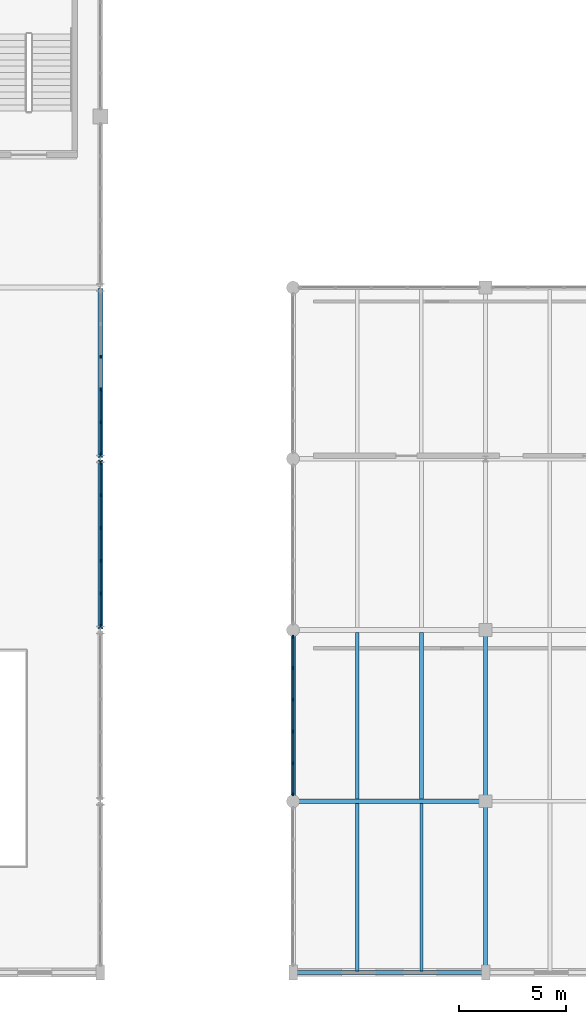
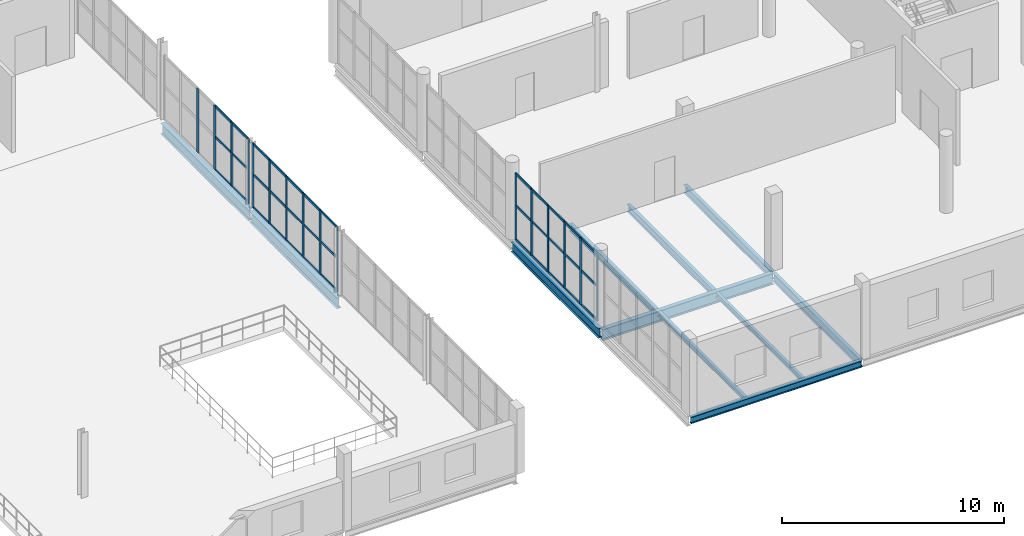
# One storey, part 25 of 73: 52 members, 11 beams, 3 elements without a shape of their own.
"""IFC4 building model written with IfcOpenShell, lengths in metres."""

import ifcopenshell
import ifcopenshell.guid

model = None  # the IFC model being written
_history = None  # IfcOwnerHistory: only IFC2X3 demands one
_inside = {}  # id of a spatial element -> (the spatial element, [elements in it])
_under = {}  # id of a project, library or spatial element -> (it, [spatial elements below it])
_declared = {}  # id of a project -> (the project, [libraries it declares])
_typed = {}  # id of a type object -> (the type object, [elements of that type])
_made_of = {}  # id of a material, layer set ... -> (it, [elements and type objects made of it])


def new_model(schema):
    """Start an empty IFC model of exactly this schema.

    Asked for "IFC4X3", IfcOpenShell would pick the latest addendum, in which some entities
    have other attributes; the version numbers below select the first issue.
    IFC2X3 requires an IfcOwnerHistory on every rooted entity: one is made here for all.
    """
    global model, _history
    if schema == "IFC4X3":
        model = ifcopenshell.file(schema_version=(4, 3, 0, 0))
    else:
        model = ifcopenshell.file(schema=schema)
    _inside.clear()
    _under.clear()
    _declared.clear()
    _typed.clear()
    _made_of.clear()
    _history = None
    if model.schema == "IFC2X3":
        org = make("IfcOrganization", Name="unknown")
        user = make(
            "IfcPersonAndOrganization",
            ThePerson=make("IfcPerson", FamilyName="unknown"),
            TheOrganization=org,
        )
        app = make(
            "IfcApplication",
            ApplicationDeveloper=org,
            Version="unknown",
            ApplicationFullName="unknown",
            ApplicationIdentifier="unknown",
        )
        _history = make(
            "IfcOwnerHistory",
            OwningUser=user,
            OwningApplication=app,
            ChangeAction="ADDED",
            CreationDate=0,
        )
    return model


def make(cls, **values):
    """One entity of the class cls with the attributes given. An attribute that is None is left unset."""
    return model.create_entity(
        cls, **{name: value for name, value in values.items() if value is not None}
    )


def rooted(cls, **values):
    """An entity with a GlobalId (a new one), such as an element, a storey or a relation."""
    return make(cls, GlobalId=ifcopenshell.guid.new(), OwnerHistory=_history, **values)


def si_unit(unit_type, name, prefix=None):
    """IfcSIUnit, for example si_unit("LENGTHUNIT", "METRE", prefix="MILLI")."""
    return make("IfcSIUnit", UnitType=unit_type, Prefix=prefix, Name=name)


def assignment(units):
    """IfcUnitAssignment: the units of a project."""
    return None if units is None else make("IfcUnitAssignment", Units=units)


def point(xyz):
    """IfcCartesianPoint."""
    return None if xyz is None else make("IfcCartesianPoint", Coordinates=xyz)


def direction(xyz):
    """IfcDirection."""
    return None if xyz is None else make("IfcDirection", DirectionRatios=xyz)


def frame(location, z_axis=None, x_axis=None):
    """IfcAxis2Placement3D, a coordinate frame: its origin and axes. An axis left out is left unset."""
    return make(
        "IfcAxis2Placement3D",
        Location=point(location),
        Axis=direction(z_axis),
        RefDirection=direction(x_axis),
    )


def frame_2d(location, x_axis=None):
    """IfcAxis2Placement2D, a coordinate frame in the plane: its origin and x axis."""
    return make(
        "IfcAxis2Placement2D", Location=point(location), RefDirection=direction(x_axis)
    )


def origin():
    """The frame at (0, 0, 0) with its axes left unset."""
    return frame((0.0, 0.0, 0.0))


def origin_2d():
    """The frame at (0, 0) in the plane with its x axis left unset."""
    return frame_2d((0.0, 0.0))


def place(relative_to, where):
    """IfcLocalPlacement: puts the frame where relative to a parent placement (None: the world)."""
    return make(
        "IfcLocalPlacement", PlacementRelTo=relative_to, RelativePlacement=where
    )


def context(
    kind, dimensions, precision=None, world=None, true_north=None, identifier=None
):
    """IfcGeometricRepresentationContext, for example the 3D "Model" context."""
    return make(
        "IfcGeometricRepresentationContext",
        ContextIdentifier=identifier,
        ContextType=kind,
        CoordinateSpaceDimension=dimensions,
        Precision=precision,
        WorldCoordinateSystem=world,
        TrueNorth=true_north,
    )


def subcontext(parent, identifier, kind, view, scale=None):
    """IfcGeometricRepresentationSubContext, for example "Body" below "Model"."""
    return make(
        "IfcGeometricRepresentationSubContext",
        ContextIdentifier=identifier,
        ContextType=kind,
        ParentContext=parent,
        TargetScale=scale,
        TargetView=view,
    )


def project(units=None, contexts=None):
    """IfcProject with its units and contexts."""
    return rooted(
        "IfcProject",
        Name="project",
        RepresentationContexts=contexts,
        UnitsInContext=assignment(units),
    )


def spatial(cls, under=None, at=None, **own):
    """A site, building, storey or space (cls), placed at a placement, below another one or the project."""
    s = rooted(cls, ObjectPlacement=at, **own)
    if under is not None:
        _under.setdefault(under.id(), (under, []))[1].append(s)
    return s


def profile(cls, at=None, kind="AREA", **sizes):
    """A parametric profile (cls). Its sizes go by their IFC names, for example OverallWidth=200.0."""
    return make(cls, ProfileType=kind, Position=at, **sizes)


def rectangle(**sizes):
    """IfcRectangleProfileDef."""
    return profile("IfcRectangleProfileDef", **sizes)


def i_section(**sizes):
    """IfcIShapeProfileDef."""
    return profile("IfcIShapeProfileDef", **sizes)


def extrude(swept, where, along, depth):
    """IfcExtrudedAreaSolid: the profile swept, set in the frame where, extruded along a direction by depth."""
    return make(
        "IfcExtrudedAreaSolid",
        SweptArea=swept,
        Position=where,
        ExtrudedDirection=direction(along),
        Depth=depth,
    )


def shape(context_of_items, identifier, shape_type, items):
    """IfcShapeRepresentation: the items that make up one representation, for example the "Body"."""
    return make(
        "IfcShapeRepresentation",
        ContextOfItems=context_of_items,
        RepresentationIdentifier=identifier,
        RepresentationType=shape_type,
        Items=items,
    )


def material(Name=None, Category=None):
    """IfcMaterial."""
    return make("IfcMaterial", Name=Name, Category=Category)


def layer(
    of_material, thickness, ventilated=None, Name=None, Category=None, Priority=None
):
    """IfcMaterialLayer: one layer of a wall or slab, of a material (None: an air gap)."""
    return make(
        "IfcMaterialLayer",
        Material=of_material,
        LayerThickness=thickness,
        IsVentilated=ventilated,
        Name=Name,
        Category=Category,
        Priority=Priority,
    )


def layer_set(layers, Name=None):
    """IfcMaterialLayerSet."""
    return make("IfcMaterialLayerSet", MaterialLayers=layers, LayerSetName=Name)


def material_profile(
    of_material, cross_section, Name=None, Category=None, Priority=None
):
    """IfcMaterialProfile: a cross section and its material."""
    return make(
        "IfcMaterialProfile",
        Name=Name,
        Material=of_material,
        Profile=cross_section,
        Priority=Priority,
        Category=Category,
    )


def profile_set(profiles, Name=None, composite=None):
    """IfcMaterialProfileSet."""
    return make(
        "IfcMaterialProfileSet",
        Name=Name,
        MaterialProfiles=profiles,
        CompositeProfile=composite,
    )


def made_of(thing, what):
    """Note that an element or type object is made of a material, layer set ...; save() writes the relation."""
    if what is not None:
        _made_of.setdefault(what.id(), (what, []))[1].append(thing)
    return thing


def type_object(cls, material=None, **own):
    """A type object (cls), such as IfcWallType, which elements share."""
    return made_of(rooted(cls, **own), material)


def element(
    cls,
    number,
    at=None,
    inside=None,
    cuts=None,
    type_object=None,
    material=None,
    context=None,
    identifier="Body",
    shape_type=None,
    held_by="IfcProductDefinitionShape",
    body=None,
    shapes=None,
    **own,
):
    """One element of the class cls, such as IfcWall. Its Tag is "e" and its number.

    at: its placement. inside: the storey or other place that contains it. cuts: it is an
    opening in that element (IfcRelVoidsElement). A single representation is given by context,
    identifier, shape_type and body (its items); several are given by shapes. held_by: the class
    of the entity that holds the representations. save() writes the other relations.
    """
    e = rooted(cls, Tag="e%d" % number, ObjectPlacement=at, **own)
    if body is not None:
        shapes = [shape(context, identifier, shape_type, body)]
    if shapes is not None:
        e.Representation = make(held_by, Representations=shapes)
    if inside is not None:
        _inside.setdefault(inside.id(), (inside, []))[1].append(e)
    if cuts is not None:
        rooted(
            "IfcRelVoidsElement", RelatingBuildingElement=cuts, RelatedOpeningElement=e
        )
    if type_object is not None:
        _typed.setdefault(type_object.id(), (type_object, []))[1].append(e)
    return made_of(e, material)


def aggregate(whole, parts):
    """IfcRelAggregates: a whole, such as a stair, and the parts it consists of."""
    return rooted("IfcRelAggregates", RelatingObject=whole, RelatedObjects=parts)


def save(model, path):
    """Write the relations noted so far, then the file.

    IfcRelAggregates (storeys below a building ...), IfcRelContainedInSpatialStructure (elements
    in a storey), IfcRelDefinesByType, IfcRelAssociatesMaterial and IfcRelDeclares: one each for
    every whole, place, type object, material and project.
    """
    for whole, parts in _under.values():
        aggregate(whole, parts)
    for where, things in _inside.values():
        rooted(
            "IfcRelContainedInSpatialStructure",
            RelatedElements=things,
            RelatingStructure=where,
        )
    for kind, things in _typed.values():
        rooted("IfcRelDefinesByType", RelatedObjects=things, RelatingType=kind)
    for what, things in _made_of.values():
        rooted("IfcRelAssociatesMaterial", RelatedObjects=things, RelatingMaterial=what)
    for by, libraries in _declared.values():
        rooted("IfcRelDeclares", RelatingContext=by, RelatedDefinitions=libraries)
    model.write(path)


model = new_model("IFC4")

# Units and contexts
model_context = context("Model", 3, precision=1e-05, world=origin(), true_north=direction((0.0, 1.0)))
body_context = subcontext(model_context, "Body", "Model", "MODEL_VIEW")
ifc_project = project(units=[si_unit("LENGTHUNIT", "METRE"), si_unit("AREAUNIT", "SQUARE_METRE"), si_unit("VOLUMEUNIT", "CUBIC_METRE"), si_unit("PLANEANGLEUNIT", "RADIAN"), si_unit("MASSUNIT", "GRAM", prefix="KILO")], contexts=[model_context])

# Site, building, storey
site_placement = place(None, origin())
site = spatial("IfcSite", under=ifc_project, at=site_placement, CompositionType="ELEMENT")
building_placement = place(site_placement, origin())
building = spatial("IfcBuilding", under=site, at=building_placement, Name="Marnock Terrace Opera House", CompositionType="ELEMENT")
storey_placement = place(building_placement, frame((0.0, 0.0, 14.699951171875)))
storey = spatial("IfcBuildingStorey", under=building, at=storey_placement, Name="L03", CompositionType="ELEMENT", Elevation=14.699951171875)

# Beams
ifc_material_1 = material(Name="Steel Grade 350 (AS/NZS 3679.1)", Category="steel")
ifc_material_profile_1 = material_profile(ifc_material_1, i_section(OverallWidth=0.18994140625, OverallDepth=0.45751953125, WebThickness=0.009033203125, FlangeThickness=0.014404296875, FilletRadius=0.011474609375, at=origin_2d()))
ifc_profile_set_1 = profile_set([ifc_material_profile_1], Name="Steel Grade 350 (AS/NZS 3679.1)")
beam_type_1 = type_object("IfcBeamType", Name="BM-GIRD-460B", PredefinedType="BEAM", material=ifc_profile_set_1)
for number, where, z_axis, x_axis, name in (
    (1, (127.0, 8.050048828125, -0.48876953125), (0.0, 1.0, 0.0), (-1.0, 0.0, 0.0), "L03 girder (X=127.0, 8.0..16.0)"),
    (2, (127.0, 16.050048828125, -0.48876953125), (0.0, 1.0, 0.0), (-1.0, 0.0, 0.0), "L03 girder (X=127.0, 16.0..24.0)"),
):
    element("IfcBeam", number, at=place(storey_placement, frame(where, z_axis=z_axis, x_axis=x_axis)), inside=storey, type_object=beam_type_1, Name=name, PredefinedType="BEAM", context=body_context, shape_type="SweptSolid", body=[
        extrude(i_section(OverallWidth=0.18994140625, OverallDepth=0.45751953125, WebThickness=0.009033203125, FlangeThickness=0.014404296875, FilletRadius=0.011474609375, at=origin_2d()), origin(), (0.0, 0.0, 1.0), 7.89990234375),
    ])
ifc_material_profile_2 = material_profile(ifc_material_1, i_section(OverallWidth=0.208984375, OverallDepth=0.528076171875, WebThickness=0.009521484375, FlangeThickness=0.01318359375, FilletRadius=0.013916015625, at=origin_2d()))
ifc_profile_set_2 = profile_set([ifc_material_profile_2], Name="Steel Grade 350 (AS/NZS 3679.1)")
beam_type_2 = type_object("IfcBeamType", Name="BM-GIRD-530B", PredefinedType="BEAM", material=ifc_profile_set_2)
beam_1_placement = place(storey_placement, frame((118.0, 16.050048828125, -0.52392578125), z_axis=(0.0, 1.0, 0.0), x_axis=(-1.0, 0.0, 0.0)))
element("IfcBeam", 3, at=beam_1_placement, inside=storey, type_object=beam_type_2, Name="L03 girder (X=118.0, 16.0..24.0)", PredefinedType="BEAM", context=body_context, shape_type="SweptSolid", body=[
    extrude(i_section(OverallWidth=0.208984375, OverallDepth=0.528076171875, WebThickness=0.009521484375, FlangeThickness=0.01318359375, FilletRadius=0.013916015625, at=origin_2d()), origin(), (0.0, 0.0, 1.0), 7.89990234375),
])
ifc_material_profile_3 = material_profile(ifc_material_1, i_section(OverallWidth=0.22900390625, OverallDepth=0.611572265625, WebThickness=0.011962890625, FlangeThickness=0.01953125, FilletRadius=0.013916015625, at=origin_2d()))
ifc_profile_set_3 = profile_set([ifc_material_profile_3], Name="Steel Grade 350 (AS/NZS 3679.1)")
beam_type_3 = type_object("IfcBeamType", Name="BM-GIRD-610A", PredefinedType="BEAM", material=ifc_profile_set_3)
beam_2_placement = place(storey_placement, frame((118.050048828125, 16.0, -0.565673828125), z_axis=(1.0, 0.0, 0.0), x_axis=(0.0, 1.0, 0.0)))
element("IfcBeam", 4, at=beam_2_placement, inside=storey, type_object=beam_type_3, Name="L03 girder (118.0..127.0, Y=16.0)", PredefinedType="BEAM", context=body_context, shape_type="SweptSolid", body=[
    extrude(i_section(OverallWidth=0.22900390625, OverallDepth=0.611572265625, WebThickness=0.011962890625, FlangeThickness=0.01953125, FilletRadius=0.013916015625, at=origin_2d()), origin(), (0.0, 0.0, 1.0), 8.89990234375),
])
ifc_material_profile_4 = material_profile(ifc_material_1, i_section(OverallWidth=0.22802734375, OverallDepth=0.60205078125, WebThickness=0.010498046875, FlangeThickness=0.014892578125, FilletRadius=0.013916015625, at=origin_2d()))
ifc_profile_set_4 = profile_set([ifc_material_profile_4], Name="Steel Grade 350 (AS/NZS 3679.1)")
beam_type_4 = type_object("IfcBeamType", Name="BM-GIRD-610C", PredefinedType="BEAM", material=ifc_profile_set_4)
for number, where, z_axis, x_axis, name in (
    (5, (109.0, 24.050048828125, -0.56103515625), (0.0, 1.0, 0.0), (-1.0, 0.0, 0.0), "L03 girder (X=109.0, 24.0..32.0)"),
    (6, (109.0, 32.050048828125, -0.56103515625), (0.0, 1.0, 0.0), (-1.0, 0.0, 0.0), "L03 girder (X=109.0, 32.0..40.0)"),
):
    element("IfcBeam", number, at=place(storey_placement, frame(where, z_axis=z_axis, x_axis=x_axis)), inside=storey, type_object=beam_type_4, Name=name, PredefinedType="BEAM", context=body_context, shape_type="SweptSolid", body=[
        extrude(i_section(OverallWidth=0.22802734375, OverallDepth=0.60205078125, WebThickness=0.010498046875, FlangeThickness=0.014892578125, FilletRadius=0.013916015625, at=origin_2d()), origin(), (0.0, 0.0, 1.0), 7.89990234375),
    ])
ifc_material_profile_5 = material_profile(ifc_material_1, i_section(OverallWidth=0.14599609375, OverallDepth=0.256103515625, WebThickness=0.00634765625, FlangeThickness=0.010986328125, FilletRadius=0.0087890625, at=origin_2d()))
ifc_profile_set_5 = profile_set([ifc_material_profile_5], Name="Steel Grade 350 (AS/NZS 3679.1)")
beam_type_5 = type_object("IfcBeamType", Name="BM-JOIST-250", PredefinedType="JOIST", material=ifc_profile_set_5)
for number, where, z_axis, x_axis, name in (
    (7, (121.0, 8.0810546875, -0.387939453125), (0.0, 1.0, 0.0), (-1.0, 0.0, 0.0), "L03 secondary joist 13.1.1"),
    (8, (124.0, 8.0810546875, -0.387939453125), (0.0, 1.0, 0.0), (-1.0, 0.0, 0.0), "L03 secondary joist 13.1.2"),
):
    element("IfcBeam", number, at=place(storey_placement, frame(where, z_axis=z_axis, x_axis=x_axis)), inside=storey, type_object=beam_type_5, Name=name, PredefinedType="JOIST", context=body_context, shape_type="SweptSolid", body=[
        extrude(i_section(OverallWidth=0.14599609375, OverallDepth=0.256103515625, WebThickness=0.00634765625, FlangeThickness=0.010986328125, FilletRadius=0.0087890625, at=origin_2d()), origin(), (0.0, 0.0, 1.0), 7.809326171875),
    ])
ifc_material_profile_6 = material_profile(ifc_material_1, i_section(OverallWidth=0.177978515625, OverallDepth=0.406494140625, WebThickness=0.0078125, FlangeThickness=0.0126953125, FilletRadius=0.011474609375, at=origin_2d()))
ifc_profile_set_6 = profile_set([ifc_material_profile_6], Name="Steel Grade 350 (AS/NZS 3679.1)")
beam_type_6 = type_object("IfcBeamType", Name="BM-JOIST-410", PredefinedType="JOIST", material=ifc_profile_set_6)
for number, where, z_axis, x_axis, name in (
    (9, (121.0, 16.109619140625, -0.463134765625), (0.0, 1.0, 0.0), (-1.0, 0.0, 0.0), "L03 secondary joist 13.2.1"),
    (10, (124.0, 16.109619140625, -0.463134765625), (0.0, 1.0, 0.0), (-1.0, 0.0, 0.0), "L03 secondary joist 13.2.2"),
):
    element("IfcBeam", number, at=place(storey_placement, frame(where, z_axis=z_axis, x_axis=x_axis)), inside=storey, type_object=beam_type_6, Name=name, PredefinedType="JOIST", context=body_context, shape_type="SweptSolid", body=[
        extrude(i_section(OverallWidth=0.177978515625, OverallDepth=0.406494140625, WebThickness=0.0078125, FlangeThickness=0.0126953125, FilletRadius=0.011474609375, at=origin_2d()), origin(), (0.0, 0.0, 1.0), 7.781494140625),
    ])
ifc_material_profile_7 = material_profile(ifc_material_1, i_section(OverallWidth=0.172119140625, OverallDepth=0.358642578125, WebThickness=0.008056640625, FlangeThickness=0.012939453125, FilletRadius=0.011474609375, at=origin_2d()))
ifc_profile_set_7 = profile_set([ifc_material_profile_7], Name="Steel Grade 350 (AS/NZS 3679.1)")
beam_type_7 = type_object("IfcBeamType", Name="BM-SPAN-360", PredefinedType="SPANDREL", material=ifc_profile_set_7)
beam_3_placement = place(storey_placement, frame((118.050048828125, 8.0, -0.439208984375), z_axis=(1.0, 0.0, 0.0), x_axis=(0.0, 1.0, 0.0)))
element("IfcBeam", 11, at=beam_3_placement, inside=storey, type_object=beam_type_7, Name="L03 girder (118.0..127.0, Y=8.0)", PredefinedType="SPANDREL", context=body_context, shape_type="SweptSolid", body=[
    extrude(i_section(OverallWidth=0.172119140625, OverallDepth=0.358642578125, WebThickness=0.008056640625, FlangeThickness=0.012939453125, FilletRadius=0.011474609375, at=origin_2d()), origin(), (0.0, 0.0, 1.0), 8.89990234375),
])

# Curtain wall, members
ifc_material_2 = material(Name="Anodised architectural bronze aluminium framing", Category="aluminium")
ifc_layer_1 = layer(ifc_material_2, 0.159912109375)
ifc_layer_set_1 = layer_set([ifc_layer_1], Name="Anodised architectural bronze aluminium framing")
curtain_wall_type_1 = type_object("IfcCurtainWallType", Name="CW-FOYER-80x42", PredefinedType="NOTDEFINED", material=ifc_layer_set_1)
curtain_wall_1_placement = place(storey_placement, origin())
curtain_wall_1 = element("IfcCurtainWall", 12, at=curtain_wall_1_placement, inside=storey, type_object=curtain_wall_type_1, Name="L03 glazed Beaux-Arts colonnade curtain wall CW-V1E-L03-03", PredefinedType="NOTDEFINED")
ifc_material_profile_8 = material_profile(ifc_material_2, rectangle(XDim=0.06005859375, YDim=0.14990234375, at=origin_2d()))
ifc_profile_set_8 = profile_set([ifc_material_profile_8], Name="Anodised architectural bronze aluminium framing")
member_type_1 = type_object("IfcMemberType", Name="CWM-60x150", PredefinedType="MULLION", material=ifc_profile_set_8)
member_1_placement = place(storey_placement, frame((109.0, 24.200927734375, 0.0), z_axis=(0.0, 0.0, 1.0), x_axis=(-1.0, 0.0, 0.0)))
member_1 = element("IfcMember", 13, at=member_1_placement, type_object=member_type_1, Name="CW-62 mullion 1", PredefinedType="MULLION", context=body_context, shape_type="SweptSolid", body=[
    extrude(rectangle(XDim=0.06005859375, YDim=0.14990234375, at=origin_2d()), origin(), (0.0, 0.0, 1.0), 3.546142578125),
])
member_2_placement = place(storey_placement, frame((109.0, 25.70263671875, 0.0), z_axis=(0.0, 0.0, 1.0), x_axis=(-1.0, 0.0, 0.0)))
member_2 = element("IfcMember", 14, at=member_2_placement, type_object=member_type_1, Name="CW-62 mullion 2", PredefinedType="MULLION", context=body_context, shape_type="SweptSolid", body=[
    extrude(rectangle(XDim=0.06005859375, YDim=0.14990234375, at=origin_2d()), origin(), (0.0, 0.0, 1.0), 3.546142578125),
])
member_3_placement = place(storey_placement, frame((109.0, 27.234130859375, 0.0), z_axis=(0.0, 0.0, 1.0), x_axis=(-1.0, 0.0, 0.0)))
member_3 = element("IfcMember", 15, at=member_3_placement, type_object=member_type_1, Name="CW-62 mullion 3", PredefinedType="MULLION", context=body_context, shape_type="SweptSolid", body=[
    extrude(rectangle(XDim=0.06005859375, YDim=0.14990234375, at=origin_2d()), origin(), (0.0, 0.0, 1.0), 3.546142578125),
])
member_4_placement = place(storey_placement, frame((109.0, 28.765869140625, 0.0), z_axis=(0.0, 0.0, 1.0), x_axis=(-1.0, 0.0, 0.0)))
member_4 = element("IfcMember", 16, at=member_4_placement, type_object=member_type_1, Name="CW-62 mullion 4", PredefinedType="MULLION", context=body_context, shape_type="SweptSolid", body=[
    extrude(rectangle(XDim=0.06005859375, YDim=0.14990234375, at=origin_2d()), origin(), (0.0, 0.0, 1.0), 3.546142578125),
])
member_5_placement = place(storey_placement, frame((109.0, 30.29736328125, 0.0), z_axis=(0.0, 0.0, 1.0), x_axis=(-1.0, 0.0, 0.0)))
member_5 = element("IfcMember", 17, at=member_5_placement, type_object=member_type_1, Name="CW-62 mullion 5", PredefinedType="MULLION", context=body_context, shape_type="SweptSolid", body=[
    extrude(rectangle(XDim=0.06005859375, YDim=0.14990234375, at=origin_2d()), origin(), (0.0, 0.0, 1.0), 3.546142578125),
])
member_6_placement = place(storey_placement, frame((109.0, 31.799072265625, 0.0), z_axis=(0.0, 0.0, 1.0), x_axis=(-1.0, 0.0, 0.0)))
member_6 = element("IfcMember", 18, at=member_6_placement, type_object=member_type_1, Name="CW-62 mullion 6", PredefinedType="MULLION", context=body_context, shape_type="SweptSolid", body=[
    extrude(rectangle(XDim=0.06005859375, YDim=0.14990234375, at=origin_2d()), origin(), (0.0, 0.0, 1.0), 3.546142578125),
])

curtain_wall_2_placement = place(storey_placement, origin())
curtain_wall_2 = element("IfcCurtainWall", 19, at=curtain_wall_2_placement, inside=storey, type_object=curtain_wall_type_1, Name="L03 glazed Beaux-Arts colonnade curtain wall CW-V1E-L03-04", PredefinedType="NOTDEFINED")
member_7_placement = place(storey_placement, frame((109.0, 32.200927734375, 0.0), z_axis=(0.0, 0.0, 1.0), x_axis=(-1.0, 0.0, 0.0)))
member_7 = element("IfcMember", 20, at=member_7_placement, type_object=member_type_1, Name="CW-62 mullion 1", PredefinedType="MULLION", context=body_context, shape_type="SweptSolid", body=[
    extrude(rectangle(XDim=0.06005859375, YDim=0.14990234375, at=origin_2d()), origin(), (0.0, 0.0, 1.0), 3.546142578125),
])
member_8_placement = place(storey_placement, frame((109.0, 33.70263671875, 0.0), z_axis=(0.0, 0.0, 1.0), x_axis=(-1.0, 0.0, 0.0)))
member_8 = element("IfcMember", 21, at=member_8_placement, type_object=member_type_1, Name="CW-62 mullion 2", PredefinedType="MULLION", context=body_context, shape_type="SweptSolid", body=[
    extrude(rectangle(XDim=0.06005859375, YDim=0.14990234375, at=origin_2d()), origin(), (0.0, 0.0, 1.0), 3.546142578125),
])
member_9_placement = place(storey_placement, frame((109.0, 35.234130859375, 0.0), z_axis=(0.0, 0.0, 1.0), x_axis=(-1.0, 0.0, 0.0)))
member_9 = element("IfcMember", 22, at=member_9_placement, type_object=member_type_1, Name="CW-62 mullion 3", PredefinedType="MULLION", context=body_context, shape_type="SweptSolid", body=[
    extrude(rectangle(XDim=0.06005859375, YDim=0.14990234375, at=origin_2d()), origin(), (0.0, 0.0, 1.0), 3.546142578125),
])
member_10_placement = place(storey_placement, frame((109.0, 36.765869140625, 0.0), z_axis=(0.0, 0.0, 1.0), x_axis=(-1.0, 0.0, 0.0)))
member_10 = element("IfcMember", 23, at=member_10_placement, type_object=member_type_1, Name="CW-62 mullion 4", PredefinedType="MULLION", context=body_context, shape_type="SweptSolid", body=[
    extrude(rectangle(XDim=0.06005859375, YDim=0.14990234375, at=origin_2d()), origin(), (0.0, 0.0, 1.0), 3.546142578125),
])

ifc_layer_2 = layer(ifc_material_2, 0.159912109375)
ifc_layer_set_2 = layer_set([ifc_layer_2], Name="Anodised architectural bronze aluminium framing")
curtain_wall_type_2 = type_object("IfcCurtainWallType", Name="CW-LOGGIA-86x42", PredefinedType="NOTDEFINED", material=ifc_layer_set_2)
curtain_wall_3_placement = place(storey_placement, origin())
curtain_wall_3 = element("IfcCurtainWall", 24, at=curtain_wall_3_placement, inside=storey, type_object=curtain_wall_type_2, Name="L03 glazed Beaux-Arts colonnade curtain wall CW-V5-L03-W2", PredefinedType="NOTDEFINED")
member_11_placement = place(storey_placement, frame((118.0, 16.325927734375, 0.0), z_axis=(0.0, 0.0, 1.0), x_axis=(-1.0, 0.0, 0.0)))
member_11 = element("IfcMember", 25, at=member_11_placement, type_object=member_type_1, Name="CW-66 mullion 1", PredefinedType="MULLION", context=body_context, shape_type="SweptSolid", body=[
    extrude(rectangle(XDim=0.06005859375, YDim=0.14990234375, at=origin_2d()), origin(), (0.0, 0.0, 1.0), 3.672119140625),
])
member_12_placement = place(storey_placement, frame((118.0, 17.777587890625, 0.0), z_axis=(0.0, 0.0, 1.0), x_axis=(-1.0, 0.0, 0.0)))
member_12 = element("IfcMember", 26, at=member_12_placement, type_object=member_type_1, Name="CW-66 mullion 2", PredefinedType="MULLION", context=body_context, shape_type="SweptSolid", body=[
    extrude(rectangle(XDim=0.06005859375, YDim=0.14990234375, at=origin_2d()), origin(), (0.0, 0.0, 1.0), 3.672119140625),
])
member_13_placement = place(storey_placement, frame((118.0, 19.25927734375, 0.0), z_axis=(0.0, 0.0, 1.0), x_axis=(-1.0, 0.0, 0.0)))
member_13 = element("IfcMember", 27, at=member_13_placement, type_object=member_type_1, Name="CW-66 mullion 3", PredefinedType="MULLION", context=body_context, shape_type="SweptSolid", body=[
    extrude(rectangle(XDim=0.06005859375, YDim=0.14990234375, at=origin_2d()), origin(), (0.0, 0.0, 1.0), 3.672119140625),
])
member_14_placement = place(storey_placement, frame((118.0, 20.74072265625, 0.0), z_axis=(0.0, 0.0, 1.0), x_axis=(-1.0, 0.0, 0.0)))
member_14 = element("IfcMember", 28, at=member_14_placement, type_object=member_type_1, Name="CW-66 mullion 4", PredefinedType="MULLION", context=body_context, shape_type="SweptSolid", body=[
    extrude(rectangle(XDim=0.06005859375, YDim=0.14990234375, at=origin_2d()), origin(), (0.0, 0.0, 1.0), 3.672119140625),
])
member_15_placement = place(storey_placement, frame((118.0, 22.222412109375, 0.0), z_axis=(0.0, 0.0, 1.0), x_axis=(-1.0, 0.0, 0.0)))
member_15 = element("IfcMember", 29, at=member_15_placement, type_object=member_type_1, Name="CW-66 mullion 5", PredefinedType="MULLION", context=body_context, shape_type="SweptSolid", body=[
    extrude(rectangle(XDim=0.06005859375, YDim=0.14990234375, at=origin_2d()), origin(), (0.0, 0.0, 1.0), 3.672119140625),
])
member_16_placement = place(storey_placement, frame((118.0, 23.674072265625, 0.0), z_axis=(0.0, 0.0, 1.0), x_axis=(-1.0, 0.0, 0.0)))
member_16 = element("IfcMember", 30, at=member_16_placement, type_object=member_type_1, Name="CW-66 mullion 6", PredefinedType="MULLION", context=body_context, shape_type="SweptSolid", body=[
    extrude(rectangle(XDim=0.06005859375, YDim=0.14990234375, at=origin_2d()), origin(), (0.0, 0.0, 1.0), 3.672119140625),
])

# Member
ifc_material_profile_9 = material_profile(ifc_material_2, rectangle(XDim=0.06005859375, YDim=0.1298828125, at=origin_2d()))
ifc_profile_set_9 = profile_set([ifc_material_profile_9], Name="Anodised architectural bronze aluminium framing")
member_type_2 = type_object("IfcMemberType", Name="CWT-60x130", PredefinedType="USERDEFINED", material=ifc_profile_set_9)
member_17_placement = place(storey_placement, frame((109.0, 24.23095703125, 0.030029296875), z_axis=(0.0, 1.0, 0.0), x_axis=(-1.0, 0.0, 0.0)))
member_17 = element("IfcMember", 31, at=member_17_placement, type_object=member_type_2, Name="CW-62 transom 1.1", ObjectType="TRANSOM", PredefinedType="USERDEFINED", context=body_context, shape_type="SweptSolid", body=[
    extrude(rectangle(XDim=0.06005859375, YDim=0.1298828125, at=origin_2d()), origin(), (0.0, 0.0, 1.0), 1.441650390625),
])

member_18_placement = place(storey_placement, frame((109.0, 24.23095703125, 1.843994140625), z_axis=(0.0, 1.0, 0.0), x_axis=(-1.0, 0.0, 0.0)))
member_18 = element("IfcMember", 32, at=member_18_placement, type_object=member_type_2, Name="CW-62 transom 1.2", ObjectType="TRANSOM", PredefinedType="USERDEFINED", context=body_context, shape_type="SweptSolid", body=[
    extrude(rectangle(XDim=0.06005859375, YDim=0.1298828125, at=origin_2d()), origin(), (0.0, 0.0, 1.0), 1.441650390625),
])

member_19_placement = place(storey_placement, frame((109.0, 24.23095703125, 3.51611328125), z_axis=(0.0, 1.0, 0.0), x_axis=(-1.0, 0.0, 0.0)))
member_19 = element("IfcMember", 33, at=member_19_placement, type_object=member_type_2, Name="CW-62 transom 1.3", ObjectType="TRANSOM", PredefinedType="USERDEFINED", context=body_context, shape_type="SweptSolid", body=[
    extrude(rectangle(XDim=0.06005859375, YDim=0.1298828125, at=origin_2d()), origin(), (0.0, 0.0, 1.0), 1.441650390625),
])

member_20_placement = place(storey_placement, frame((109.0, 25.732666015625, 0.030029296875), z_axis=(0.0, 1.0, 0.0), x_axis=(-1.0, 0.0, 0.0)))
member_20 = element("IfcMember", 34, at=member_20_placement, type_object=member_type_2, Name="CW-62 transom 2.1", ObjectType="TRANSOM", PredefinedType="USERDEFINED", context=body_context, shape_type="SweptSolid", body=[
    extrude(rectangle(XDim=0.06005859375, YDim=0.1298828125, at=origin_2d()), origin(), (0.0, 0.0, 1.0), 1.471435546875),
])

member_21_placement = place(storey_placement, frame((109.0, 25.732666015625, 1.843994140625), z_axis=(0.0, 1.0, 0.0), x_axis=(-1.0, 0.0, 0.0)))
member_21 = element("IfcMember", 35, at=member_21_placement, type_object=member_type_2, Name="CW-62 transom 2.2", ObjectType="TRANSOM", PredefinedType="USERDEFINED", context=body_context, shape_type="SweptSolid", body=[
    extrude(rectangle(XDim=0.06005859375, YDim=0.1298828125, at=origin_2d()), origin(), (0.0, 0.0, 1.0), 1.471435546875),
])

member_22_placement = place(storey_placement, frame((109.0, 25.732666015625, 3.51611328125), z_axis=(0.0, 1.0, 0.0), x_axis=(-1.0, 0.0, 0.0)))
member_22 = element("IfcMember", 36, at=member_22_placement, type_object=member_type_2, Name="CW-62 transom 2.3", ObjectType="TRANSOM", PredefinedType="USERDEFINED", context=body_context, shape_type="SweptSolid", body=[
    extrude(rectangle(XDim=0.06005859375, YDim=0.1298828125, at=origin_2d()), origin(), (0.0, 0.0, 1.0), 1.471435546875),
])

member_23_placement = place(storey_placement, frame((109.0, 27.26416015625, 0.030029296875), z_axis=(0.0, 1.0, 0.0), x_axis=(-1.0, 0.0, 0.0)))
member_23 = element("IfcMember", 37, at=member_23_placement, type_object=member_type_2, Name="CW-62 transom 3.1", ObjectType="TRANSOM", PredefinedType="USERDEFINED", context=body_context, shape_type="SweptSolid", body=[
    extrude(rectangle(XDim=0.06005859375, YDim=0.1298828125, at=origin_2d()), origin(), (0.0, 0.0, 1.0), 1.4716796875),
])

member_24_placement = place(storey_placement, frame((109.0, 27.26416015625, 1.843994140625), z_axis=(0.0, 1.0, 0.0), x_axis=(-1.0, 0.0, 0.0)))
member_24 = element("IfcMember", 38, at=member_24_placement, type_object=member_type_2, Name="CW-62 transom 3.2", ObjectType="TRANSOM", PredefinedType="USERDEFINED", context=body_context, shape_type="SweptSolid", body=[
    extrude(rectangle(XDim=0.06005859375, YDim=0.1298828125, at=origin_2d()), origin(), (0.0, 0.0, 1.0), 1.4716796875),
])

member_25_placement = place(storey_placement, frame((109.0, 27.26416015625, 3.51611328125), z_axis=(0.0, 1.0, 0.0), x_axis=(-1.0, 0.0, 0.0)))
member_25 = element("IfcMember", 39, at=member_25_placement, type_object=member_type_2, Name="CW-62 transom 3.3", ObjectType="TRANSOM", PredefinedType="USERDEFINED", context=body_context, shape_type="SweptSolid", body=[
    extrude(rectangle(XDim=0.06005859375, YDim=0.1298828125, at=origin_2d()), origin(), (0.0, 0.0, 1.0), 1.4716796875),
])

member_26_placement = place(storey_placement, frame((109.0, 28.7958984375, 0.030029296875), z_axis=(0.0, 1.0, 0.0), x_axis=(-1.0, 0.0, 0.0)))
member_26 = element("IfcMember", 40, at=member_26_placement, type_object=member_type_2, Name="CW-62 transom 4.1", ObjectType="TRANSOM", PredefinedType="USERDEFINED", context=body_context, shape_type="SweptSolid", body=[
    extrude(rectangle(XDim=0.06005859375, YDim=0.1298828125, at=origin_2d()), origin(), (0.0, 0.0, 1.0), 1.471435546875),
])

member_27_placement = place(storey_placement, frame((109.0, 28.7958984375, 1.843994140625), z_axis=(0.0, 1.0, 0.0), x_axis=(-1.0, 0.0, 0.0)))
member_27 = element("IfcMember", 41, at=member_27_placement, type_object=member_type_2, Name="CW-62 transom 4.2", ObjectType="TRANSOM", PredefinedType="USERDEFINED", context=body_context, shape_type="SweptSolid", body=[
    extrude(rectangle(XDim=0.06005859375, YDim=0.1298828125, at=origin_2d()), origin(), (0.0, 0.0, 1.0), 1.471435546875),
])

member_28_placement = place(storey_placement, frame((109.0, 28.7958984375, 3.51611328125), z_axis=(0.0, 1.0, 0.0), x_axis=(-1.0, 0.0, 0.0)))
member_28 = element("IfcMember", 42, at=member_28_placement, type_object=member_type_2, Name="CW-62 transom 4.3", ObjectType="TRANSOM", PredefinedType="USERDEFINED", context=body_context, shape_type="SweptSolid", body=[
    extrude(rectangle(XDim=0.06005859375, YDim=0.1298828125, at=origin_2d()), origin(), (0.0, 0.0, 1.0), 1.471435546875),
])

member_29_placement = place(storey_placement, frame((109.0, 30.327392578125, 0.030029296875), z_axis=(0.0, 1.0, 0.0), x_axis=(-1.0, 0.0, 0.0)))
member_29 = element("IfcMember", 43, at=member_29_placement, type_object=member_type_2, Name="CW-62 transom 5.1", ObjectType="TRANSOM", PredefinedType="USERDEFINED", context=body_context, shape_type="SweptSolid", body=[
    extrude(rectangle(XDim=0.06005859375, YDim=0.1298828125, at=origin_2d()), origin(), (0.0, 0.0, 1.0), 1.441650390625),
])

member_30_placement = place(storey_placement, frame((109.0, 30.327392578125, 1.843994140625), z_axis=(0.0, 1.0, 0.0), x_axis=(-1.0, 0.0, 0.0)))
member_30 = element("IfcMember", 44, at=member_30_placement, type_object=member_type_2, Name="CW-62 transom 5.2", ObjectType="TRANSOM", PredefinedType="USERDEFINED", context=body_context, shape_type="SweptSolid", body=[
    extrude(rectangle(XDim=0.06005859375, YDim=0.1298828125, at=origin_2d()), origin(), (0.0, 0.0, 1.0), 1.441650390625),
])

member_31_placement = place(storey_placement, frame((109.0, 30.327392578125, 3.51611328125), z_axis=(0.0, 1.0, 0.0), x_axis=(-1.0, 0.0, 0.0)))
member_31 = element("IfcMember", 45, at=member_31_placement, type_object=member_type_2, Name="CW-62 transom 5.3", ObjectType="TRANSOM", PredefinedType="USERDEFINED", context=body_context, shape_type="SweptSolid", body=[
    extrude(rectangle(XDim=0.06005859375, YDim=0.1298828125, at=origin_2d()), origin(), (0.0, 0.0, 1.0), 1.441650390625),
])

aggregate(curtain_wall_1, [member_1, member_2, member_3, member_4, member_5, member_6, member_17, member_18, member_19, member_20, member_21, member_22, member_23, member_24, member_25, member_26, member_27, member_28, member_29, member_30, member_31])

member_32_placement = place(storey_placement, frame((109.0, 32.23095703125, 0.030029296875), z_axis=(0.0, 1.0, 0.0), x_axis=(-1.0, 0.0, 0.0)))
member_32 = element("IfcMember", 46, at=member_32_placement, type_object=member_type_2, Name="CW-62 transom 1.1", ObjectType="TRANSOM", PredefinedType="USERDEFINED", context=body_context, shape_type="SweptSolid", body=[
    extrude(rectangle(XDim=0.06005859375, YDim=0.1298828125, at=origin_2d()), origin(), (0.0, 0.0, 1.0), 1.441650390625),
])

member_33_placement = place(storey_placement, frame((109.0, 32.23095703125, 1.843994140625), z_axis=(0.0, 1.0, 0.0), x_axis=(-1.0, 0.0, 0.0)))
member_33 = element("IfcMember", 47, at=member_33_placement, type_object=member_type_2, Name="CW-62 transom 1.2", ObjectType="TRANSOM", PredefinedType="USERDEFINED", context=body_context, shape_type="SweptSolid", body=[
    extrude(rectangle(XDim=0.06005859375, YDim=0.1298828125, at=origin_2d()), origin(), (0.0, 0.0, 1.0), 1.441650390625),
])

member_34_placement = place(storey_placement, frame((109.0, 32.23095703125, 3.51611328125), z_axis=(0.0, 1.0, 0.0), x_axis=(-1.0, 0.0, 0.0)))
member_34 = element("IfcMember", 48, at=member_34_placement, type_object=member_type_2, Name="CW-62 transom 1.3", ObjectType="TRANSOM", PredefinedType="USERDEFINED", context=body_context, shape_type="SweptSolid", body=[
    extrude(rectangle(XDim=0.06005859375, YDim=0.1298828125, at=origin_2d()), origin(), (0.0, 0.0, 1.0), 1.441650390625),
])

member_35_placement = place(storey_placement, frame((109.0, 33.732666015625, 0.030029296875), z_axis=(0.0, 1.0, 0.0), x_axis=(-1.0, 0.0, 0.0)))
member_35 = element("IfcMember", 49, at=member_35_placement, type_object=member_type_2, Name="CW-62 transom 2.1", ObjectType="TRANSOM", PredefinedType="USERDEFINED", context=body_context, shape_type="SweptSolid", body=[
    extrude(rectangle(XDim=0.06005859375, YDim=0.1298828125, at=origin_2d()), origin(), (0.0, 0.0, 1.0), 1.471435546875),
])

member_36_placement = place(storey_placement, frame((109.0, 33.732666015625, 1.843994140625), z_axis=(0.0, 1.0, 0.0), x_axis=(-1.0, 0.0, 0.0)))
member_36 = element("IfcMember", 50, at=member_36_placement, type_object=member_type_2, Name="CW-62 transom 2.2", ObjectType="TRANSOM", PredefinedType="USERDEFINED", context=body_context, shape_type="SweptSolid", body=[
    extrude(rectangle(XDim=0.06005859375, YDim=0.1298828125, at=origin_2d()), origin(), (0.0, 0.0, 1.0), 1.471435546875),
])

member_37_placement = place(storey_placement, frame((109.0, 33.732666015625, 3.51611328125), z_axis=(0.0, 1.0, 0.0), x_axis=(-1.0, 0.0, 0.0)))
member_37 = element("IfcMember", 51, at=member_37_placement, type_object=member_type_2, Name="CW-62 transom 2.3", ObjectType="TRANSOM", PredefinedType="USERDEFINED", context=body_context, shape_type="SweptSolid", body=[
    extrude(rectangle(XDim=0.06005859375, YDim=0.1298828125, at=origin_2d()), origin(), (0.0, 0.0, 1.0), 1.471435546875),
])

aggregate(curtain_wall_2, [member_7, member_8, member_9, member_10, member_32, member_33, member_34, member_35, member_36, member_37])

member_38_placement = place(storey_placement, frame((118.0, 16.35595703125, 0.030029296875), z_axis=(0.0, 1.0, 0.0), x_axis=(-1.0, 0.0, 0.0)))
member_38 = element("IfcMember", 52, at=member_38_placement, type_object=member_type_2, Name="CW-66 transom 1.1", ObjectType="TRANSOM", PredefinedType="USERDEFINED", context=body_context, shape_type="SweptSolid", body=[
    extrude(rectangle(XDim=0.06005859375, YDim=0.1298828125, at=origin_2d()), origin(), (0.0, 0.0, 1.0), 1.3916015625),
])

member_39_placement = place(storey_placement, frame((118.0, 16.35595703125, 1.909423828125), z_axis=(0.0, 1.0, 0.0), x_axis=(-1.0, 0.0, 0.0)))
member_39 = element("IfcMember", 53, at=member_39_placement, type_object=member_type_2, Name="CW-66 transom 1.2", ObjectType="TRANSOM", PredefinedType="USERDEFINED", context=body_context, shape_type="SweptSolid", body=[
    extrude(rectangle(XDim=0.06005859375, YDim=0.1298828125, at=origin_2d()), origin(), (0.0, 0.0, 1.0), 1.3916015625),
])

member_40_placement = place(storey_placement, frame((118.0, 16.35595703125, 3.64208984375), z_axis=(0.0, 1.0, 0.0), x_axis=(-1.0, 0.0, 0.0)))
member_40 = element("IfcMember", 54, at=member_40_placement, type_object=member_type_2, Name="CW-66 transom 1.3", ObjectType="TRANSOM", PredefinedType="USERDEFINED", context=body_context, shape_type="SweptSolid", body=[
    extrude(rectangle(XDim=0.06005859375, YDim=0.1298828125, at=origin_2d()), origin(), (0.0, 0.0, 1.0), 1.3916015625),
])

member_41_placement = place(storey_placement, frame((118.0, 17.8076171875, 0.030029296875), z_axis=(0.0, 1.0, 0.0), x_axis=(-1.0, 0.0, 0.0)))
member_41 = element("IfcMember", 55, at=member_41_placement, type_object=member_type_2, Name="CW-66 transom 2.1", ObjectType="TRANSOM", PredefinedType="USERDEFINED", context=body_context, shape_type="SweptSolid", body=[
    extrude(rectangle(XDim=0.06005859375, YDim=0.1298828125, at=origin_2d()), origin(), (0.0, 0.0, 1.0), 1.421630859375),
])

member_42_placement = place(storey_placement, frame((118.0, 17.8076171875, 1.909423828125), z_axis=(0.0, 1.0, 0.0), x_axis=(-1.0, 0.0, 0.0)))
member_42 = element("IfcMember", 56, at=member_42_placement, type_object=member_type_2, Name="CW-66 transom 2.2", ObjectType="TRANSOM", PredefinedType="USERDEFINED", context=body_context, shape_type="SweptSolid", body=[
    extrude(rectangle(XDim=0.06005859375, YDim=0.1298828125, at=origin_2d()), origin(), (0.0, 0.0, 1.0), 1.421630859375),
])

member_43_placement = place(storey_placement, frame((118.0, 17.8076171875, 3.64208984375), z_axis=(0.0, 1.0, 0.0), x_axis=(-1.0, 0.0, 0.0)))
member_43 = element("IfcMember", 57, at=member_43_placement, type_object=member_type_2, Name="CW-66 transom 2.3", ObjectType="TRANSOM", PredefinedType="USERDEFINED", context=body_context, shape_type="SweptSolid", body=[
    extrude(rectangle(XDim=0.06005859375, YDim=0.1298828125, at=origin_2d()), origin(), (0.0, 0.0, 1.0), 1.421630859375),
])

member_44_placement = place(storey_placement, frame((118.0, 19.289306640625, 0.030029296875), z_axis=(0.0, 1.0, 0.0), x_axis=(-1.0, 0.0, 0.0)))
member_44 = element("IfcMember", 58, at=member_44_placement, type_object=member_type_2, Name="CW-66 transom 3.1", ObjectType="TRANSOM", PredefinedType="USERDEFINED", context=body_context, shape_type="SweptSolid", body=[
    extrude(rectangle(XDim=0.06005859375, YDim=0.1298828125, at=origin_2d()), origin(), (0.0, 0.0, 1.0), 1.42138671875),
])

member_45_placement = place(storey_placement, frame((118.0, 19.289306640625, 1.909423828125), z_axis=(0.0, 1.0, 0.0), x_axis=(-1.0, 0.0, 0.0)))
member_45 = element("IfcMember", 59, at=member_45_placement, type_object=member_type_2, Name="CW-66 transom 3.2", ObjectType="TRANSOM", PredefinedType="USERDEFINED", context=body_context, shape_type="SweptSolid", body=[
    extrude(rectangle(XDim=0.06005859375, YDim=0.1298828125, at=origin_2d()), origin(), (0.0, 0.0, 1.0), 1.42138671875),
])

member_46_placement = place(storey_placement, frame((118.0, 19.289306640625, 3.64208984375), z_axis=(0.0, 1.0, 0.0), x_axis=(-1.0, 0.0, 0.0)))
member_46 = element("IfcMember", 60, at=member_46_placement, type_object=member_type_2, Name="CW-66 transom 3.3", ObjectType="TRANSOM", PredefinedType="USERDEFINED", context=body_context, shape_type="SweptSolid", body=[
    extrude(rectangle(XDim=0.06005859375, YDim=0.1298828125, at=origin_2d()), origin(), (0.0, 0.0, 1.0), 1.42138671875),
])

member_47_placement = place(storey_placement, frame((118.0, 20.770751953125, 0.030029296875), z_axis=(0.0, 1.0, 0.0), x_axis=(-1.0, 0.0, 0.0)))
member_47 = element("IfcMember", 61, at=member_47_placement, type_object=member_type_2, Name="CW-66 transom 4.1", ObjectType="TRANSOM", PredefinedType="USERDEFINED", context=body_context, shape_type="SweptSolid", body=[
    extrude(rectangle(XDim=0.06005859375, YDim=0.1298828125, at=origin_2d()), origin(), (0.0, 0.0, 1.0), 1.421630859375),
])

member_48_placement = place(storey_placement, frame((118.0, 20.770751953125, 1.909423828125), z_axis=(0.0, 1.0, 0.0), x_axis=(-1.0, 0.0, 0.0)))
member_48 = element("IfcMember", 62, at=member_48_placement, type_object=member_type_2, Name="CW-66 transom 4.2", ObjectType="TRANSOM", PredefinedType="USERDEFINED", context=body_context, shape_type="SweptSolid", body=[
    extrude(rectangle(XDim=0.06005859375, YDim=0.1298828125, at=origin_2d()), origin(), (0.0, 0.0, 1.0), 1.421630859375),
])

member_49_placement = place(storey_placement, frame((118.0, 20.770751953125, 3.64208984375), z_axis=(0.0, 1.0, 0.0), x_axis=(-1.0, 0.0, 0.0)))
member_49 = element("IfcMember", 63, at=member_49_placement, type_object=member_type_2, Name="CW-66 transom 4.3", ObjectType="TRANSOM", PredefinedType="USERDEFINED", context=body_context, shape_type="SweptSolid", body=[
    extrude(rectangle(XDim=0.06005859375, YDim=0.1298828125, at=origin_2d()), origin(), (0.0, 0.0, 1.0), 1.421630859375),
])

member_50_placement = place(storey_placement, frame((118.0, 22.25244140625, 0.030029296875), z_axis=(0.0, 1.0, 0.0), x_axis=(-1.0, 0.0, 0.0)))
member_50 = element("IfcMember", 64, at=member_50_placement, type_object=member_type_2, Name="CW-66 transom 5.1", ObjectType="TRANSOM", PredefinedType="USERDEFINED", context=body_context, shape_type="SweptSolid", body=[
    extrude(rectangle(XDim=0.06005859375, YDim=0.1298828125, at=origin_2d()), origin(), (0.0, 0.0, 1.0), 1.3916015625),
])

member_51_placement = place(storey_placement, frame((118.0, 22.25244140625, 1.909423828125), z_axis=(0.0, 1.0, 0.0), x_axis=(-1.0, 0.0, 0.0)))
member_51 = element("IfcMember", 65, at=member_51_placement, type_object=member_type_2, Name="CW-66 transom 5.2", ObjectType="TRANSOM", PredefinedType="USERDEFINED", context=body_context, shape_type="SweptSolid", body=[
    extrude(rectangle(XDim=0.06005859375, YDim=0.1298828125, at=origin_2d()), origin(), (0.0, 0.0, 1.0), 1.3916015625),
])

member_52_placement = place(storey_placement, frame((118.0, 22.25244140625, 3.64208984375), z_axis=(0.0, 1.0, 0.0), x_axis=(-1.0, 0.0, 0.0)))
member_52 = element("IfcMember", 66, at=member_52_placement, type_object=member_type_2, Name="CW-66 transom 5.3", ObjectType="TRANSOM", PredefinedType="USERDEFINED", context=body_context, shape_type="SweptSolid", body=[
    extrude(rectangle(XDim=0.06005859375, YDim=0.1298828125, at=origin_2d()), origin(), (0.0, 0.0, 1.0), 1.3916015625),
])

aggregate(curtain_wall_3, [member_11, member_12, member_13, member_14, member_15, member_16, member_38, member_39, member_40, member_41, member_42, member_43, member_44, member_45, member_46, member_47, member_48, member_49, member_50, member_51, member_52])

save(model, "model.ifc")
